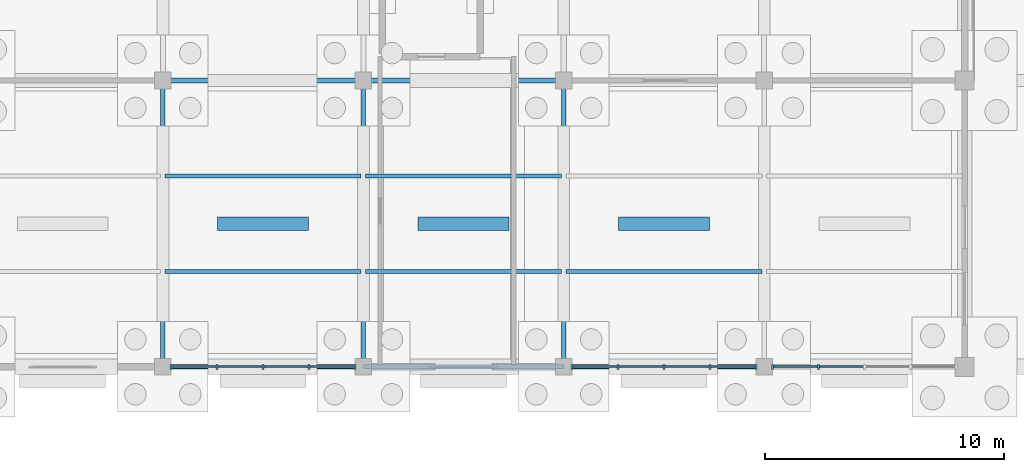
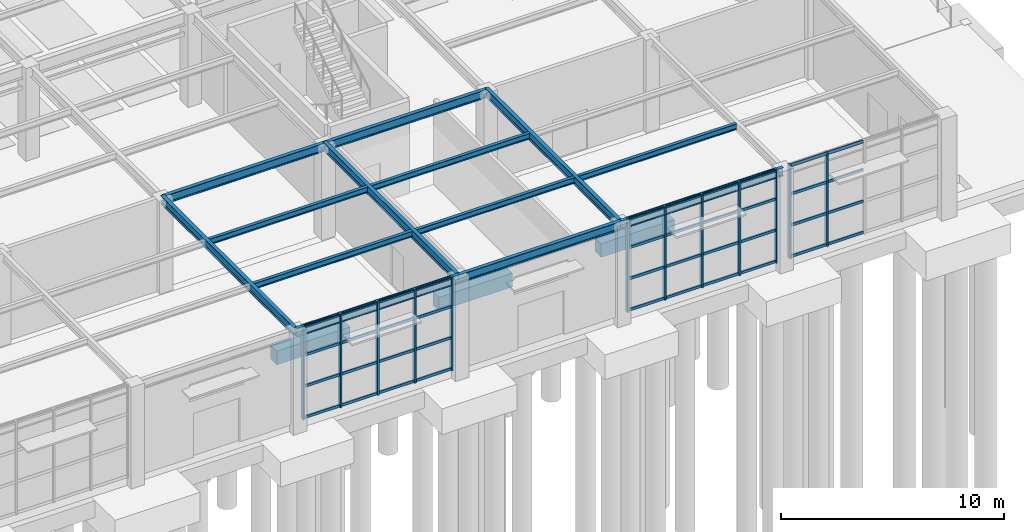
# One storey, part 64 of 129: 52 members, 16 beams, 3 elements without a shape of their own.
"""IFC4 building model written with IfcOpenShell, lengths in metres."""

from ifc_helpers import new_model, si_unit, direction, frame, origin, origin_2d, place, context, subcontext, project, spatial, rectangle, i_section, extrude, material, layer, layer_set, material_profile, profile_set, type_object, element, aggregate, save


model = new_model("IFC4")

# Units and contexts
model_context = context("Model", 3, precision=1e-05, world=origin(), true_north=direction((0.0, 1.0)))
body_context = subcontext(model_context, "Body", "Model", "MODEL_VIEW")
ifc_project = project(units=[si_unit("LENGTHUNIT", "METRE"), si_unit("AREAUNIT", "SQUARE_METRE"), si_unit("VOLUMEUNIT", "CUBIC_METRE"), si_unit("PLANEANGLEUNIT", "RADIAN"), si_unit("MASSUNIT", "GRAM", prefix="KILO")], contexts=[model_context])

# Site, building, storey
site_placement = place(None, origin())
site = spatial("IfcSite", under=ifc_project, at=site_placement, CompositionType="ELEMENT")
building_placement = place(site_placement, origin())
building = spatial("IfcBuilding", under=site, at=building_placement, Name="Sitalva Quay Ferry Terminal", CompositionType="ELEMENT")
storey_placement = place(building_placement, origin())
storey = spatial("IfcBuildingStorey", under=building, at=storey_placement, Name="L01", CompositionType="ELEMENT", Elevation=0.0)

# Beams
ifc_material_1 = material(Name="Structural Steel S355JR", Category="steel")
ifc_material_profile_1 = material_profile(ifc_material_1, i_section(OverallWidth=0.19091796875, OverallDepth=0.4599609375, WebThickness=0.010009765625, FlangeThickness=0.01611328125, FilletRadius=0.013916015625, at=origin_2d()), Name="W460x82")
ifc_profile_set_1 = profile_set([ifc_material_profile_1], Name="Structural Steel S355JR")
beam_type_1 = type_object("IfcBeamType", Name="Beam_W460x82", PredefinedType="BEAM", material=ifc_profile_set_1)
beam_1_placement = place(storey_placement, frame((134.39990234375, 6.0, 4.889892578125), z_axis=(1.0, 0.0, 0.0), x_axis=(0.0, 1.0, 0.0)))
element("IfcBeam", 1, at=beam_1_placement, inside=storey, type_object=beam_type_1, Name="L01 Primary X girder 0193", PredefinedType="BEAM", context=body_context, shape_type="SweptSolid", body=[
    extrude(i_section(OverallWidth=0.19091796875, OverallDepth=0.4599609375, WebThickness=0.010009765625, FlangeThickness=0.01611328125, FilletRadius=0.013916015625, at=origin_2d()), origin(), (0.0, 0.0, 1.0), 8.400146484375),
])
beam_2_placement = place(storey_placement, frame((142.800048828125, 6.0, 4.889892578125), z_axis=(1.0, 0.0, 0.0), x_axis=(0.0, 1.0, 0.0)))
element("IfcBeam", 2, at=beam_2_placement, inside=storey, type_object=beam_type_1, Name="L01 Primary X girder 0194", PredefinedType="BEAM", context=body_context, shape_type="SweptSolid", body=[
    extrude(i_section(OverallWidth=0.19091796875, OverallDepth=0.4599609375, WebThickness=0.010009765625, FlangeThickness=0.01611328125, FilletRadius=0.013916015625, at=origin_2d()), origin(), (0.0, 0.0, 1.0), 8.39990234375),
])
for number, where, z_axis, x_axis, name in (
    (3, (151.199951171875, 6.0, 4.889892578125), (1.0, 0.0, 0.0), (0.0, 1.0, 0.0), "L01 Primary X girder 0195"),
    (4, (134.39990234375, 18.0, 4.85009765625), (1.0, 0.0, 0.0), (0.0, 1.0, 0.0), "L01 Primary X girder 0203"),
):
    element("IfcBeam", number, at=place(storey_placement, frame(where, z_axis=z_axis, x_axis=x_axis)), inside=storey, type_object=beam_type_1, Name=name, PredefinedType="BEAM", context=body_context, shape_type="SweptSolid", body=[
        extrude(i_section(OverallWidth=0.19091796875, OverallDepth=0.4599609375, WebThickness=0.010009765625, FlangeThickness=0.01611328125, FilletRadius=0.013916015625, at=origin_2d()), origin(), (0.0, 0.0, 1.0), 8.400146484375),
    ])
beam_3_placement = place(storey_placement, frame((142.800048828125, 18.0, 4.85009765625), z_axis=(1.0, 0.0, 0.0), x_axis=(0.0, 1.0, 0.0)))
element("IfcBeam", 5, at=beam_3_placement, inside=storey, type_object=beam_type_1, Name="L01 Primary X girder 0204", PredefinedType="BEAM", context=body_context, shape_type="SweptSolid", body=[
    extrude(i_section(OverallWidth=0.19091796875, OverallDepth=0.4599609375, WebThickness=0.010009765625, FlangeThickness=0.01611328125, FilletRadius=0.013916015625, at=origin_2d()), origin(), (0.0, 0.0, 1.0), 8.39990234375),
])
for number, where, z_axis, x_axis, name in (
    (6, (134.39990234375, 6.0, 4.889892578125), (0.0, 1.0, 0.0), (-1.0, 0.0, 0.0), "L01 Primary Y girder 0212"),
    (7, (142.800048828125, 6.0, 4.889892578125), (0.0, 1.0, 0.0), (-1.0, 0.0, 0.0), "L01 Primary Y girder 0213"),
    (8, (151.199951171875, 6.0, 4.889892578125), (0.0, 1.0, 0.0), (-1.0, 0.0, 0.0), "L01 Primary Y girder 0214"),
):
    element("IfcBeam", number, at=place(storey_placement, frame(where, z_axis=z_axis, x_axis=x_axis)), inside=storey, type_object=beam_type_1, Name=name, PredefinedType="BEAM", context=body_context, shape_type="SweptSolid", body=[
        extrude(i_section(OverallWidth=0.19091796875, OverallDepth=0.4599609375, WebThickness=0.010009765625, FlangeThickness=0.01611328125, FilletRadius=0.013916015625, at=origin_2d()), origin(), (0.0, 0.0, 1.0), 12.0),
    ])
ifc_material_2 = material(Name="Structural Steel S355JR", Category="steel")
ifc_material_profile_2 = material_profile(ifc_material_2, i_section(OverallWidth=0.166015625, OverallDepth=0.31298828125, WebThickness=0.006591796875, FlangeThickness=0.01123046875, FilletRadius=0.010986328125, at=origin_2d()), Name="W310x45")
ifc_profile_set_2 = profile_set([ifc_material_profile_2], Name="Structural Steel S355JR")
beam_type_2 = type_object("IfcBeamType", Name="Joist_W310x45", PredefinedType="JOIST", material=ifc_profile_set_2)
for number, where, z_axis, x_axis, name in (
    (9, (134.49560546875, 10.0, 4.96337890625), (1.0, 0.0, 0.0), (0.0, 1.0, 0.0), "L01 Secondary joist 0223"),
    (10, (142.8955078125, 10.0, 4.96337890625), (1.0, 0.0, 0.0), (0.0, 1.0, 0.0), "L01 Secondary joist 0224"),
    (11, (151.29541015625, 10.0, 4.96337890625), (1.0, 0.0, 0.0), (0.0, 1.0, 0.0), "L01 Secondary joist 0225"),
    (12, (134.49560546875, 14.0, 4.96337890625), (1.0, 0.0, 0.0), (0.0, 1.0, 0.0), "L01 Secondary joist 0233"),
    (13, (142.8955078125, 14.0, 4.96337890625), (1.0, 0.0, 0.0), (0.0, 1.0, 0.0), "L01 Secondary joist 0234"),
):
    element("IfcBeam", number, at=place(storey_placement, frame(where, z_axis=z_axis, x_axis=x_axis)), inside=storey, type_object=beam_type_2, Name=name, PredefinedType="JOIST", context=body_context, shape_type="SweptSolid", body=[
        extrude(i_section(OverallWidth=0.166015625, OverallDepth=0.31298828125, WebThickness=0.006591796875, FlangeThickness=0.01123046875, FilletRadius=0.010986328125, at=origin_2d()), origin(), (0.0, 0.0, 1.0), 8.208984375),
    ])

# Curtain wall, members
ifc_material_3 = material(Name="Anodised Aluminium & Low-E Glazing", Category="aluminium")
ifc_layer = layer(ifc_material_3, 0.159912109375)
ifc_layer_set = layer_set([ifc_layer], Name="Anodised Aluminium & Low-E Glazing")
curtain_wall_type = type_object("IfcCurtainWallType", Name="CW_Concourse_Unitised", PredefinedType="USERDEFINED", material=ifc_layer_set)
curtain_wall_1_placement = place(storey_placement, origin())
curtain_wall_1 = element("IfcCurtainWall", 14, at=curtain_wall_1_placement, inside=storey, type_object=curtain_wall_type, Name="South-east quay concourse curtain wall (CW-L01-067)", ObjectType="CURTAIN_WALL", PredefinedType="USERDEFINED")
ifc_material_4 = material(Name="Anodised Aluminium 6063-T6", Category="aluminium")
ifc_material_profile_3 = material_profile(ifc_material_4, rectangle(XDim=0.0849609375, YDim=0.2099609375, at=origin_2d()), Name="ALU85x210")
ifc_profile_set_3 = profile_set([ifc_material_profile_3], Name="Anodised Aluminium 6063-T6")
member_type_1 = type_object("IfcMemberType", Name="Mullion_Alu_85x210", PredefinedType="MULLION", material=ifc_profile_set_3)
member_1_placement = place(storey_placement, frame((134.75, 6.0, 0.0), z_axis=(0.0, 0.0, 1.0), x_axis=(1.0, 0.0, 0.0)))
member_1 = element("IfcMember", 15, at=member_1_placement, type_object=member_type_1, Name="CW-L01-067-M0", PredefinedType="MULLION", context=body_context, shape_type="SweptSolid", body=[
    extrude(rectangle(XDim=0.0849609375, YDim=0.2099609375, at=origin_2d()), origin(), (0.0, 0.0, 1.0), 5.1201171875),
])
member_2_placement = place(storey_placement, frame((136.675048828125, 6.0, 0.0), z_axis=(0.0, 0.0, 1.0), x_axis=(1.0, 0.0, 0.0)))
member_2 = element("IfcMember", 16, at=member_2_placement, type_object=member_type_1, Name="CW-L01-067-M1", PredefinedType="MULLION", context=body_context, shape_type="SweptSolid", body=[
    extrude(rectangle(XDim=0.0849609375, YDim=0.2099609375, at=origin_2d()), origin(), (0.0, 0.0, 1.0), 5.1201171875),
])
member_3_placement = place(storey_placement, frame((138.60009765625, 6.0, 0.0), z_axis=(0.0, 0.0, 1.0), x_axis=(1.0, 0.0, 0.0)))
member_3 = element("IfcMember", 17, at=member_3_placement, type_object=member_type_1, Name="CW-L01-067-M2", PredefinedType="MULLION", context=body_context, shape_type="SweptSolid", body=[
    extrude(rectangle(XDim=0.0849609375, YDim=0.2099609375, at=origin_2d()), origin(), (0.0, 0.0, 1.0), 5.1201171875),
])
member_4_placement = place(storey_placement, frame((140.52490234375, 6.0, 0.0), z_axis=(0.0, 0.0, 1.0), x_axis=(1.0, 0.0, 0.0)))
member_4 = element("IfcMember", 18, at=member_4_placement, type_object=member_type_1, Name="CW-L01-067-M3", PredefinedType="MULLION", context=body_context, shape_type="SweptSolid", body=[
    extrude(rectangle(XDim=0.0849609375, YDim=0.2099609375, at=origin_2d()), origin(), (0.0, 0.0, 1.0), 5.1201171875),
])
member_5_placement = place(storey_placement, frame((142.449951171875, 6.0, 0.0), z_axis=(0.0, 0.0, 1.0), x_axis=(1.0, 0.0, 0.0)))
member_5 = element("IfcMember", 19, at=member_5_placement, type_object=member_type_1, Name="CW-L01-067-M4", PredefinedType="MULLION", context=body_context, shape_type="SweptSolid", body=[
    extrude(rectangle(XDim=0.0849609375, YDim=0.2099609375, at=origin_2d()), origin(), (0.0, 0.0, 1.0), 5.1201171875),
])

curtain_wall_2_placement = place(storey_placement, origin())
curtain_wall_2 = element("IfcCurtainWall", 20, at=curtain_wall_2_placement, inside=storey, type_object=curtain_wall_type, Name="South-east quay concourse curtain wall (CW-L01-070)", ObjectType="CURTAIN_WALL", PredefinedType="USERDEFINED")
member_6_placement = place(storey_placement, frame((151.550048828125, 6.0, 0.0), z_axis=(0.0, 0.0, 1.0), x_axis=(1.0, 0.0, 0.0)))
member_6 = element("IfcMember", 21, at=member_6_placement, type_object=member_type_1, Name="CW-L01-070-M0", PredefinedType="MULLION", context=body_context, shape_type="SweptSolid", body=[
    extrude(rectangle(XDim=0.0849609375, YDim=0.2099609375, at=origin_2d()), origin(), (0.0, 0.0, 1.0), 5.1201171875),
])
member_7_placement = place(storey_placement, frame((153.47509765625, 6.0, 0.0), z_axis=(0.0, 0.0, 1.0), x_axis=(1.0, 0.0, 0.0)))
member_7 = element("IfcMember", 22, at=member_7_placement, type_object=member_type_1, Name="CW-L01-070-M1", PredefinedType="MULLION", context=body_context, shape_type="SweptSolid", body=[
    extrude(rectangle(XDim=0.0849609375, YDim=0.2099609375, at=origin_2d()), origin(), (0.0, 0.0, 1.0), 5.1201171875),
])
member_8_placement = place(storey_placement, frame((155.39990234375, 6.0, 0.0), z_axis=(0.0, 0.0, 1.0), x_axis=(1.0, 0.0, 0.0)))
member_8 = element("IfcMember", 23, at=member_8_placement, type_object=member_type_1, Name="CW-L01-070-M2", PredefinedType="MULLION", context=body_context, shape_type="SweptSolid", body=[
    extrude(rectangle(XDim=0.0849609375, YDim=0.2099609375, at=origin_2d()), origin(), (0.0, 0.0, 1.0), 5.1201171875),
])
member_9_placement = place(storey_placement, frame((157.324951171875, 6.0, 0.0), z_axis=(0.0, 0.0, 1.0), x_axis=(1.0, 0.0, 0.0)))
member_9 = element("IfcMember", 24, at=member_9_placement, type_object=member_type_1, Name="CW-L01-070-M3", PredefinedType="MULLION", context=body_context, shape_type="SweptSolid", body=[
    extrude(rectangle(XDim=0.0849609375, YDim=0.2099609375, at=origin_2d()), origin(), (0.0, 0.0, 1.0), 5.1201171875),
])
member_10_placement = place(storey_placement, frame((159.25, 6.0, 0.0), z_axis=(0.0, 0.0, 1.0), x_axis=(1.0, 0.0, 0.0)))
member_10 = element("IfcMember", 25, at=member_10_placement, type_object=member_type_1, Name="CW-L01-070-M4", PredefinedType="MULLION", context=body_context, shape_type="SweptSolid", body=[
    extrude(rectangle(XDim=0.0849609375, YDim=0.2099609375, at=origin_2d()), origin(), (0.0, 0.0, 1.0), 5.1201171875),
])

curtain_wall_3_placement = place(storey_placement, origin())
curtain_wall_3 = element("IfcCurtainWall", 26, at=curtain_wall_3_placement, inside=storey, type_object=curtain_wall_type, Name="South-east quay concourse curtain wall (CW-L01-072)", ObjectType="CURTAIN_WALL", PredefinedType="USERDEFINED")
member_11_placement = place(storey_placement, frame((159.949951171875, 6.0, 0.0), z_axis=(0.0, 0.0, 1.0), x_axis=(1.0, 0.0, 0.0)))
member_11 = element("IfcMember", 27, at=member_11_placement, type_object=member_type_1, Name="CW-L01-072-M0", PredefinedType="MULLION", context=body_context, shape_type="SweptSolid", body=[
    extrude(rectangle(XDim=0.0849609375, YDim=0.2099609375, at=origin_2d()), origin(), (0.0, 0.0, 1.0), 5.1201171875),
])
member_12_placement = place(storey_placement, frame((161.875, 6.0, 0.0), z_axis=(0.0, 0.0, 1.0), x_axis=(1.0, 0.0, 0.0)))
member_12 = element("IfcMember", 28, at=member_12_placement, type_object=member_type_1, Name="CW-L01-072-M1", PredefinedType="MULLION", context=body_context, shape_type="SweptSolid", body=[
    extrude(rectangle(XDim=0.0849609375, YDim=0.2099609375, at=origin_2d()), origin(), (0.0, 0.0, 1.0), 5.1201171875),
])

# Beams
ifc_material_5 = material(Name="Concrete C35/45", Category="concrete")
ifc_material_profile_4 = material_profile(ifc_material_5, rectangle(XDim=0.550048828125, YDim=0.75, at=origin_2d()), Name="RC550x750")
ifc_profile_set_4 = profile_set([ifc_material_profile_4], Name="Concrete C35/45")
beam_type_3 = type_object("IfcBeamType", Name="TBeam_Quay_RC550x750", PredefinedType="T_BEAM", material=ifc_profile_set_4)
beam_4_placement = place(storey_placement, frame((136.699951171875, 12.0, -0.824951171875), z_axis=(1.0, 0.0, 0.0), x_axis=(0.0, 1.0, 0.0)))
element("IfcBeam", 29, at=beam_4_placement, inside=storey, type_object=beam_type_3, Name="L01 Ro-Ro quay deck T-beam 0044", PredefinedType="T_BEAM", context=body_context, shape_type="SweptSolid", body=[
    extrude(rectangle(XDim=0.550048828125, YDim=0.75, at=origin_2d()), origin(), (0.0, 0.0, 1.0), 3.800048828125),
])
beam_5_placement = place(storey_placement, frame((145.10009765625, 12.0, -0.824951171875), z_axis=(1.0, 0.0, 0.0), x_axis=(0.0, 1.0, 0.0)))
element("IfcBeam", 30, at=beam_5_placement, inside=storey, type_object=beam_type_3, Name="L01 Ro-Ro quay deck T-beam 0045", PredefinedType="T_BEAM", context=body_context, shape_type="SweptSolid", body=[
    extrude(rectangle(XDim=0.550048828125, YDim=0.75, at=origin_2d()), origin(), (0.0, 0.0, 1.0), 3.7998046875),
])
beam_6_placement = place(storey_placement, frame((153.5, 12.0, -0.824951171875), z_axis=(1.0, 0.0, 0.0), x_axis=(0.0, 1.0, 0.0)))
element("IfcBeam", 31, at=beam_6_placement, inside=storey, type_object=beam_type_3, Name="L01 Ro-Ro quay deck T-beam 0046", PredefinedType="T_BEAM", context=body_context, shape_type="SweptSolid", body=[
    extrude(rectangle(XDim=0.550048828125, YDim=0.75, at=origin_2d()), origin(), (0.0, 0.0, 1.0), 3.800048828125),
])

# Member
ifc_material_6 = material(Name="Anodised Aluminium 6063-T6", Category="aluminium")
ifc_material_profile_5 = material_profile(ifc_material_6, rectangle(XDim=0.074951171875, YDim=0.14990234375, at=origin_2d()), Name="ALU75x150")
ifc_profile_set_5 = profile_set([ifc_material_profile_5], Name="Anodised Aluminium 6063-T6")
member_type_2 = type_object("IfcMemberType", Name="Transom_Alu_75x140", PredefinedType="MULLION", material=ifc_profile_set_5)
member_13_placement = place(storey_placement, frame((134.79248046875, 6.0, 0.074951171875), z_axis=(1.0, 0.0, 0.0), x_axis=(0.0, 1.0, 0.0)))
member_13 = element("IfcMember", 32, at=member_13_placement, type_object=member_type_2, Name="CW-L01-067-T0-0", ObjectType="TRANSOM", PredefinedType="USERDEFINED", context=body_context, shape_type="SweptSolid", body=[
    extrude(rectangle(XDim=0.074951171875, YDim=0.14990234375, at=origin_2d()), origin(), (0.0, 0.0, 1.0), 1.840087890625),
])

member_14_placement = place(storey_placement, frame((134.79248046875, 6.0, 1.78173828125), z_axis=(1.0, 0.0, 0.0), x_axis=(0.0, 1.0, 0.0)))
member_14 = element("IfcMember", 33, at=member_14_placement, type_object=member_type_2, Name="CW-L01-067-T0-1", ObjectType="TRANSOM", PredefinedType="USERDEFINED", context=body_context, shape_type="SweptSolid", body=[
    extrude(rectangle(XDim=0.074951171875, YDim=0.14990234375, at=origin_2d()), origin(), (0.0, 0.0, 1.0), 1.840087890625),
])

member_15_placement = place(storey_placement, frame((134.79248046875, 6.0, 3.48828125), z_axis=(1.0, 0.0, 0.0), x_axis=(0.0, 1.0, 0.0)))
member_15 = element("IfcMember", 34, at=member_15_placement, type_object=member_type_2, Name="CW-L01-067-T0-2", ObjectType="TRANSOM", PredefinedType="USERDEFINED", context=body_context, shape_type="SweptSolid", body=[
    extrude(rectangle(XDim=0.074951171875, YDim=0.14990234375, at=origin_2d()), origin(), (0.0, 0.0, 1.0), 1.840087890625),
])

member_16_placement = place(storey_placement, frame((134.79248046875, 6.0, 5.044921875), z_axis=(1.0, 0.0, 0.0), x_axis=(0.0, 1.0, 0.0)))
member_16 = element("IfcMember", 35, at=member_16_placement, type_object=member_type_2, Name="CW-L01-067-T0-3", ObjectType="TRANSOM", PredefinedType="USERDEFINED", context=body_context, shape_type="SweptSolid", body=[
    extrude(rectangle(XDim=0.074951171875, YDim=0.14990234375, at=origin_2d()), origin(), (0.0, 0.0, 1.0), 1.840087890625),
])

member_17_placement = place(storey_placement, frame((136.717529296875, 6.0, 0.074951171875), z_axis=(1.0, 0.0, 0.0), x_axis=(0.0, 1.0, 0.0)))
member_17 = element("IfcMember", 36, at=member_17_placement, type_object=member_type_2, Name="CW-L01-067-T1-0", ObjectType="TRANSOM", PredefinedType="USERDEFINED", context=body_context, shape_type="SweptSolid", body=[
    extrude(rectangle(XDim=0.074951171875, YDim=0.14990234375, at=origin_2d()), origin(), (0.0, 0.0, 1.0), 1.840087890625),
])

member_18_placement = place(storey_placement, frame((136.717529296875, 6.0, 1.78173828125), z_axis=(1.0, 0.0, 0.0), x_axis=(0.0, 1.0, 0.0)))
member_18 = element("IfcMember", 37, at=member_18_placement, type_object=member_type_2, Name="CW-L01-067-T1-1", ObjectType="TRANSOM", PredefinedType="USERDEFINED", context=body_context, shape_type="SweptSolid", body=[
    extrude(rectangle(XDim=0.074951171875, YDim=0.14990234375, at=origin_2d()), origin(), (0.0, 0.0, 1.0), 1.840087890625),
])

member_19_placement = place(storey_placement, frame((136.717529296875, 6.0, 3.48828125), z_axis=(1.0, 0.0, 0.0), x_axis=(0.0, 1.0, 0.0)))
member_19 = element("IfcMember", 38, at=member_19_placement, type_object=member_type_2, Name="CW-L01-067-T1-2", ObjectType="TRANSOM", PredefinedType="USERDEFINED", context=body_context, shape_type="SweptSolid", body=[
    extrude(rectangle(XDim=0.074951171875, YDim=0.14990234375, at=origin_2d()), origin(), (0.0, 0.0, 1.0), 1.840087890625),
])

member_20_placement = place(storey_placement, frame((136.717529296875, 6.0, 5.044921875), z_axis=(1.0, 0.0, 0.0), x_axis=(0.0, 1.0, 0.0)))
member_20 = element("IfcMember", 39, at=member_20_placement, type_object=member_type_2, Name="CW-L01-067-T1-3", ObjectType="TRANSOM", PredefinedType="USERDEFINED", context=body_context, shape_type="SweptSolid", body=[
    extrude(rectangle(XDim=0.074951171875, YDim=0.14990234375, at=origin_2d()), origin(), (0.0, 0.0, 1.0), 1.840087890625),
])

member_21_placement = place(storey_placement, frame((138.642578125, 6.0, 0.074951171875), z_axis=(1.0, 0.0, 0.0), x_axis=(0.0, 1.0, 0.0)))
member_21 = element("IfcMember", 40, at=member_21_placement, type_object=member_type_2, Name="CW-L01-067-T2-0", ObjectType="TRANSOM", PredefinedType="USERDEFINED", context=body_context, shape_type="SweptSolid", body=[
    extrude(rectangle(XDim=0.074951171875, YDim=0.14990234375, at=origin_2d()), origin(), (0.0, 0.0, 1.0), 1.83984375),
])

member_22_placement = place(storey_placement, frame((138.642578125, 6.0, 1.78173828125), z_axis=(1.0, 0.0, 0.0), x_axis=(0.0, 1.0, 0.0)))
member_22 = element("IfcMember", 41, at=member_22_placement, type_object=member_type_2, Name="CW-L01-067-T2-1", ObjectType="TRANSOM", PredefinedType="USERDEFINED", context=body_context, shape_type="SweptSolid", body=[
    extrude(rectangle(XDim=0.074951171875, YDim=0.14990234375, at=origin_2d()), origin(), (0.0, 0.0, 1.0), 1.83984375),
])

member_23_placement = place(storey_placement, frame((138.642578125, 6.0, 3.48828125), z_axis=(1.0, 0.0, 0.0), x_axis=(0.0, 1.0, 0.0)))
member_23 = element("IfcMember", 42, at=member_23_placement, type_object=member_type_2, Name="CW-L01-067-T2-2", ObjectType="TRANSOM", PredefinedType="USERDEFINED", context=body_context, shape_type="SweptSolid", body=[
    extrude(rectangle(XDim=0.074951171875, YDim=0.14990234375, at=origin_2d()), origin(), (0.0, 0.0, 1.0), 1.83984375),
])

member_24_placement = place(storey_placement, frame((138.642578125, 6.0, 5.044921875), z_axis=(1.0, 0.0, 0.0), x_axis=(0.0, 1.0, 0.0)))
member_24 = element("IfcMember", 43, at=member_24_placement, type_object=member_type_2, Name="CW-L01-067-T2-3", ObjectType="TRANSOM", PredefinedType="USERDEFINED", context=body_context, shape_type="SweptSolid", body=[
    extrude(rectangle(XDim=0.074951171875, YDim=0.14990234375, at=origin_2d()), origin(), (0.0, 0.0, 1.0), 1.83984375),
])

member_25_placement = place(storey_placement, frame((140.5673828125, 6.0, 0.074951171875), z_axis=(1.0, 0.0, 0.0), x_axis=(0.0, 1.0, 0.0)))
member_25 = element("IfcMember", 44, at=member_25_placement, type_object=member_type_2, Name="CW-L01-067-T3-0", ObjectType="TRANSOM", PredefinedType="USERDEFINED", context=body_context, shape_type="SweptSolid", body=[
    extrude(rectangle(XDim=0.074951171875, YDim=0.14990234375, at=origin_2d()), origin(), (0.0, 0.0, 1.0), 1.840087890625),
])

member_26_placement = place(storey_placement, frame((140.5673828125, 6.0, 1.78173828125), z_axis=(1.0, 0.0, 0.0), x_axis=(0.0, 1.0, 0.0)))
member_26 = element("IfcMember", 45, at=member_26_placement, type_object=member_type_2, Name="CW-L01-067-T3-1", ObjectType="TRANSOM", PredefinedType="USERDEFINED", context=body_context, shape_type="SweptSolid", body=[
    extrude(rectangle(XDim=0.074951171875, YDim=0.14990234375, at=origin_2d()), origin(), (0.0, 0.0, 1.0), 1.840087890625),
])

member_27_placement = place(storey_placement, frame((140.5673828125, 6.0, 3.48828125), z_axis=(1.0, 0.0, 0.0), x_axis=(0.0, 1.0, 0.0)))
member_27 = element("IfcMember", 46, at=member_27_placement, type_object=member_type_2, Name="CW-L01-067-T3-2", ObjectType="TRANSOM", PredefinedType="USERDEFINED", context=body_context, shape_type="SweptSolid", body=[
    extrude(rectangle(XDim=0.074951171875, YDim=0.14990234375, at=origin_2d()), origin(), (0.0, 0.0, 1.0), 1.840087890625),
])

member_28_placement = place(storey_placement, frame((140.5673828125, 6.0, 5.044921875), z_axis=(1.0, 0.0, 0.0), x_axis=(0.0, 1.0, 0.0)))
member_28 = element("IfcMember", 47, at=member_28_placement, type_object=member_type_2, Name="CW-L01-067-T3-3", ObjectType="TRANSOM", PredefinedType="USERDEFINED", context=body_context, shape_type="SweptSolid", body=[
    extrude(rectangle(XDim=0.074951171875, YDim=0.14990234375, at=origin_2d()), origin(), (0.0, 0.0, 1.0), 1.840087890625),
])

aggregate(curtain_wall_1, [member_1, member_2, member_3, member_4, member_5, member_13, member_14, member_15, member_16, member_17, member_18, member_19, member_20, member_21, member_22, member_23, member_24, member_25, member_26, member_27, member_28])

member_29_placement = place(storey_placement, frame((151.592529296875, 6.0, 0.074951171875), z_axis=(1.0, 0.0, 0.0), x_axis=(0.0, 1.0, 0.0)))
member_29 = element("IfcMember", 48, at=member_29_placement, type_object=member_type_2, Name="CW-L01-070-T0-0", ObjectType="TRANSOM", PredefinedType="USERDEFINED", context=body_context, shape_type="SweptSolid", body=[
    extrude(rectangle(XDim=0.074951171875, YDim=0.14990234375, at=origin_2d()), origin(), (0.0, 0.0, 1.0), 1.840087890625),
])

member_30_placement = place(storey_placement, frame((151.592529296875, 6.0, 1.78173828125), z_axis=(1.0, 0.0, 0.0), x_axis=(0.0, 1.0, 0.0)))
member_30 = element("IfcMember", 49, at=member_30_placement, type_object=member_type_2, Name="CW-L01-070-T0-1", ObjectType="TRANSOM", PredefinedType="USERDEFINED", context=body_context, shape_type="SweptSolid", body=[
    extrude(rectangle(XDim=0.074951171875, YDim=0.14990234375, at=origin_2d()), origin(), (0.0, 0.0, 1.0), 1.840087890625),
])

member_31_placement = place(storey_placement, frame((151.592529296875, 6.0, 3.48828125), z_axis=(1.0, 0.0, 0.0), x_axis=(0.0, 1.0, 0.0)))
member_31 = element("IfcMember", 50, at=member_31_placement, type_object=member_type_2, Name="CW-L01-070-T0-2", ObjectType="TRANSOM", PredefinedType="USERDEFINED", context=body_context, shape_type="SweptSolid", body=[
    extrude(rectangle(XDim=0.074951171875, YDim=0.14990234375, at=origin_2d()), origin(), (0.0, 0.0, 1.0), 1.840087890625),
])

member_32_placement = place(storey_placement, frame((151.592529296875, 6.0, 5.044921875), z_axis=(1.0, 0.0, 0.0), x_axis=(0.0, 1.0, 0.0)))
member_32 = element("IfcMember", 51, at=member_32_placement, type_object=member_type_2, Name="CW-L01-070-T0-3", ObjectType="TRANSOM", PredefinedType="USERDEFINED", context=body_context, shape_type="SweptSolid", body=[
    extrude(rectangle(XDim=0.074951171875, YDim=0.14990234375, at=origin_2d()), origin(), (0.0, 0.0, 1.0), 1.840087890625),
])

member_33_placement = place(storey_placement, frame((153.517578125, 6.0, 0.074951171875), z_axis=(1.0, 0.0, 0.0), x_axis=(0.0, 1.0, 0.0)))
member_33 = element("IfcMember", 52, at=member_33_placement, type_object=member_type_2, Name="CW-L01-070-T1-0", ObjectType="TRANSOM", PredefinedType="USERDEFINED", context=body_context, shape_type="SweptSolid", body=[
    extrude(rectangle(XDim=0.074951171875, YDim=0.14990234375, at=origin_2d()), origin(), (0.0, 0.0, 1.0), 1.83984375),
])

member_34_placement = place(storey_placement, frame((153.517578125, 6.0, 1.78173828125), z_axis=(1.0, 0.0, 0.0), x_axis=(0.0, 1.0, 0.0)))
member_34 = element("IfcMember", 53, at=member_34_placement, type_object=member_type_2, Name="CW-L01-070-T1-1", ObjectType="TRANSOM", PredefinedType="USERDEFINED", context=body_context, shape_type="SweptSolid", body=[
    extrude(rectangle(XDim=0.074951171875, YDim=0.14990234375, at=origin_2d()), origin(), (0.0, 0.0, 1.0), 1.83984375),
])

member_35_placement = place(storey_placement, frame((153.517578125, 6.0, 3.48828125), z_axis=(1.0, 0.0, 0.0), x_axis=(0.0, 1.0, 0.0)))
member_35 = element("IfcMember", 54, at=member_35_placement, type_object=member_type_2, Name="CW-L01-070-T1-2", ObjectType="TRANSOM", PredefinedType="USERDEFINED", context=body_context, shape_type="SweptSolid", body=[
    extrude(rectangle(XDim=0.074951171875, YDim=0.14990234375, at=origin_2d()), origin(), (0.0, 0.0, 1.0), 1.83984375),
])

member_36_placement = place(storey_placement, frame((153.517578125, 6.0, 5.044921875), z_axis=(1.0, 0.0, 0.0), x_axis=(0.0, 1.0, 0.0)))
member_36 = element("IfcMember", 55, at=member_36_placement, type_object=member_type_2, Name="CW-L01-070-T1-3", ObjectType="TRANSOM", PredefinedType="USERDEFINED", context=body_context, shape_type="SweptSolid", body=[
    extrude(rectangle(XDim=0.074951171875, YDim=0.14990234375, at=origin_2d()), origin(), (0.0, 0.0, 1.0), 1.83984375),
])

member_37_placement = place(storey_placement, frame((155.4423828125, 6.0, 0.074951171875), z_axis=(1.0, 0.0, 0.0), x_axis=(0.0, 1.0, 0.0)))
member_37 = element("IfcMember", 56, at=member_37_placement, type_object=member_type_2, Name="CW-L01-070-T2-0", ObjectType="TRANSOM", PredefinedType="USERDEFINED", context=body_context, shape_type="SweptSolid", body=[
    extrude(rectangle(XDim=0.074951171875, YDim=0.14990234375, at=origin_2d()), origin(), (0.0, 0.0, 1.0), 1.840087890625),
])

member_38_placement = place(storey_placement, frame((155.4423828125, 6.0, 1.78173828125), z_axis=(1.0, 0.0, 0.0), x_axis=(0.0, 1.0, 0.0)))
member_38 = element("IfcMember", 57, at=member_38_placement, type_object=member_type_2, Name="CW-L01-070-T2-1", ObjectType="TRANSOM", PredefinedType="USERDEFINED", context=body_context, shape_type="SweptSolid", body=[
    extrude(rectangle(XDim=0.074951171875, YDim=0.14990234375, at=origin_2d()), origin(), (0.0, 0.0, 1.0), 1.840087890625),
])

member_39_placement = place(storey_placement, frame((155.4423828125, 6.0, 3.48828125), z_axis=(1.0, 0.0, 0.0), x_axis=(0.0, 1.0, 0.0)))
member_39 = element("IfcMember", 58, at=member_39_placement, type_object=member_type_2, Name="CW-L01-070-T2-2", ObjectType="TRANSOM", PredefinedType="USERDEFINED", context=body_context, shape_type="SweptSolid", body=[
    extrude(rectangle(XDim=0.074951171875, YDim=0.14990234375, at=origin_2d()), origin(), (0.0, 0.0, 1.0), 1.840087890625),
])

member_40_placement = place(storey_placement, frame((155.4423828125, 6.0, 5.044921875), z_axis=(1.0, 0.0, 0.0), x_axis=(0.0, 1.0, 0.0)))
member_40 = element("IfcMember", 59, at=member_40_placement, type_object=member_type_2, Name="CW-L01-070-T2-3", ObjectType="TRANSOM", PredefinedType="USERDEFINED", context=body_context, shape_type="SweptSolid", body=[
    extrude(rectangle(XDim=0.074951171875, YDim=0.14990234375, at=origin_2d()), origin(), (0.0, 0.0, 1.0), 1.840087890625),
])

member_41_placement = place(storey_placement, frame((157.367431640625, 6.0, 0.074951171875), z_axis=(1.0, 0.0, 0.0), x_axis=(0.0, 1.0, 0.0)))
member_41 = element("IfcMember", 60, at=member_41_placement, type_object=member_type_2, Name="CW-L01-070-T3-0", ObjectType="TRANSOM", PredefinedType="USERDEFINED", context=body_context, shape_type="SweptSolid", body=[
    extrude(rectangle(XDim=0.074951171875, YDim=0.14990234375, at=origin_2d()), origin(), (0.0, 0.0, 1.0), 1.840087890625),
])

member_42_placement = place(storey_placement, frame((157.367431640625, 6.0, 1.78173828125), z_axis=(1.0, 0.0, 0.0), x_axis=(0.0, 1.0, 0.0)))
member_42 = element("IfcMember", 61, at=member_42_placement, type_object=member_type_2, Name="CW-L01-070-T3-1", ObjectType="TRANSOM", PredefinedType="USERDEFINED", context=body_context, shape_type="SweptSolid", body=[
    extrude(rectangle(XDim=0.074951171875, YDim=0.14990234375, at=origin_2d()), origin(), (0.0, 0.0, 1.0), 1.840087890625),
])

member_43_placement = place(storey_placement, frame((157.367431640625, 6.0, 3.48828125), z_axis=(1.0, 0.0, 0.0), x_axis=(0.0, 1.0, 0.0)))
member_43 = element("IfcMember", 62, at=member_43_placement, type_object=member_type_2, Name="CW-L01-070-T3-2", ObjectType="TRANSOM", PredefinedType="USERDEFINED", context=body_context, shape_type="SweptSolid", body=[
    extrude(rectangle(XDim=0.074951171875, YDim=0.14990234375, at=origin_2d()), origin(), (0.0, 0.0, 1.0), 1.840087890625),
])

member_44_placement = place(storey_placement, frame((157.367431640625, 6.0, 5.044921875), z_axis=(1.0, 0.0, 0.0), x_axis=(0.0, 1.0, 0.0)))
member_44 = element("IfcMember", 63, at=member_44_placement, type_object=member_type_2, Name="CW-L01-070-T3-3", ObjectType="TRANSOM", PredefinedType="USERDEFINED", context=body_context, shape_type="SweptSolid", body=[
    extrude(rectangle(XDim=0.074951171875, YDim=0.14990234375, at=origin_2d()), origin(), (0.0, 0.0, 1.0), 1.840087890625),
])

aggregate(curtain_wall_2, [member_6, member_7, member_8, member_9, member_10, member_29, member_30, member_31, member_32, member_33, member_34, member_35, member_36, member_37, member_38, member_39, member_40, member_41, member_42, member_43, member_44])

member_45_placement = place(storey_placement, frame((159.992431640625, 6.0, 0.074951171875), z_axis=(1.0, 0.0, 0.0), x_axis=(0.0, 1.0, 0.0)))
member_45 = element("IfcMember", 64, at=member_45_placement, type_object=member_type_2, Name="CW-L01-072-T0-0", ObjectType="TRANSOM", PredefinedType="USERDEFINED", context=body_context, shape_type="SweptSolid", body=[
    extrude(rectangle(XDim=0.074951171875, YDim=0.14990234375, at=origin_2d()), origin(), (0.0, 0.0, 1.0), 1.840087890625),
])

member_46_placement = place(storey_placement, frame((159.992431640625, 6.0, 1.78173828125), z_axis=(1.0, 0.0, 0.0), x_axis=(0.0, 1.0, 0.0)))
member_46 = element("IfcMember", 65, at=member_46_placement, type_object=member_type_2, Name="CW-L01-072-T0-1", ObjectType="TRANSOM", PredefinedType="USERDEFINED", context=body_context, shape_type="SweptSolid", body=[
    extrude(rectangle(XDim=0.074951171875, YDim=0.14990234375, at=origin_2d()), origin(), (0.0, 0.0, 1.0), 1.840087890625),
])

member_47_placement = place(storey_placement, frame((159.992431640625, 6.0, 3.48828125), z_axis=(1.0, 0.0, 0.0), x_axis=(0.0, 1.0, 0.0)))
member_47 = element("IfcMember", 66, at=member_47_placement, type_object=member_type_2, Name="CW-L01-072-T0-2", ObjectType="TRANSOM", PredefinedType="USERDEFINED", context=body_context, shape_type="SweptSolid", body=[
    extrude(rectangle(XDim=0.074951171875, YDim=0.14990234375, at=origin_2d()), origin(), (0.0, 0.0, 1.0), 1.840087890625),
])

member_48_placement = place(storey_placement, frame((159.992431640625, 6.0, 5.044921875), z_axis=(1.0, 0.0, 0.0), x_axis=(0.0, 1.0, 0.0)))
member_48 = element("IfcMember", 67, at=member_48_placement, type_object=member_type_2, Name="CW-L01-072-T0-3", ObjectType="TRANSOM", PredefinedType="USERDEFINED", context=body_context, shape_type="SweptSolid", body=[
    extrude(rectangle(XDim=0.074951171875, YDim=0.14990234375, at=origin_2d()), origin(), (0.0, 0.0, 1.0), 1.840087890625),
])

member_49_placement = place(storey_placement, frame((161.91748046875, 6.0, 0.074951171875), z_axis=(1.0, 0.0, 0.0), x_axis=(0.0, 1.0, 0.0)))
member_49 = element("IfcMember", 68, at=member_49_placement, type_object=member_type_2, Name="CW-L01-072-T1-0", ObjectType="TRANSOM", PredefinedType="USERDEFINED", context=body_context, shape_type="SweptSolid", body=[
    extrude(rectangle(XDim=0.074951171875, YDim=0.14990234375, at=origin_2d()), origin(), (0.0, 0.0, 1.0), 1.840087890625),
])

member_50_placement = place(storey_placement, frame((161.91748046875, 6.0, 1.78173828125), z_axis=(1.0, 0.0, 0.0), x_axis=(0.0, 1.0, 0.0)))
member_50 = element("IfcMember", 69, at=member_50_placement, type_object=member_type_2, Name="CW-L01-072-T1-1", ObjectType="TRANSOM", PredefinedType="USERDEFINED", context=body_context, shape_type="SweptSolid", body=[
    extrude(rectangle(XDim=0.074951171875, YDim=0.14990234375, at=origin_2d()), origin(), (0.0, 0.0, 1.0), 1.840087890625),
])

member_51_placement = place(storey_placement, frame((161.91748046875, 6.0, 3.48828125), z_axis=(1.0, 0.0, 0.0), x_axis=(0.0, 1.0, 0.0)))
member_51 = element("IfcMember", 70, at=member_51_placement, type_object=member_type_2, Name="CW-L01-072-T1-2", ObjectType="TRANSOM", PredefinedType="USERDEFINED", context=body_context, shape_type="SweptSolid", body=[
    extrude(rectangle(XDim=0.074951171875, YDim=0.14990234375, at=origin_2d()), origin(), (0.0, 0.0, 1.0), 1.840087890625),
])

member_52_placement = place(storey_placement, frame((161.91748046875, 6.0, 5.044921875), z_axis=(1.0, 0.0, 0.0), x_axis=(0.0, 1.0, 0.0)))
member_52 = element("IfcMember", 71, at=member_52_placement, type_object=member_type_2, Name="CW-L01-072-T1-3", ObjectType="TRANSOM", PredefinedType="USERDEFINED", context=body_context, shape_type="SweptSolid", body=[
    extrude(rectangle(XDim=0.074951171875, YDim=0.14990234375, at=origin_2d()), origin(), (0.0, 0.0, 1.0), 1.840087890625),
])

aggregate(curtain_wall_3, [member_11, member_12, member_45, member_46, member_47, member_48, member_49, member_50, member_51, member_52])

save(model, "model.ifc")
